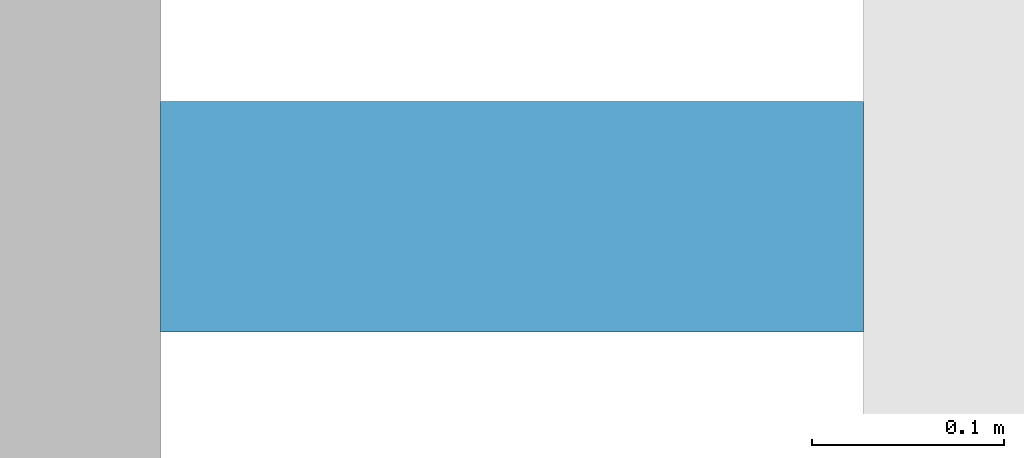
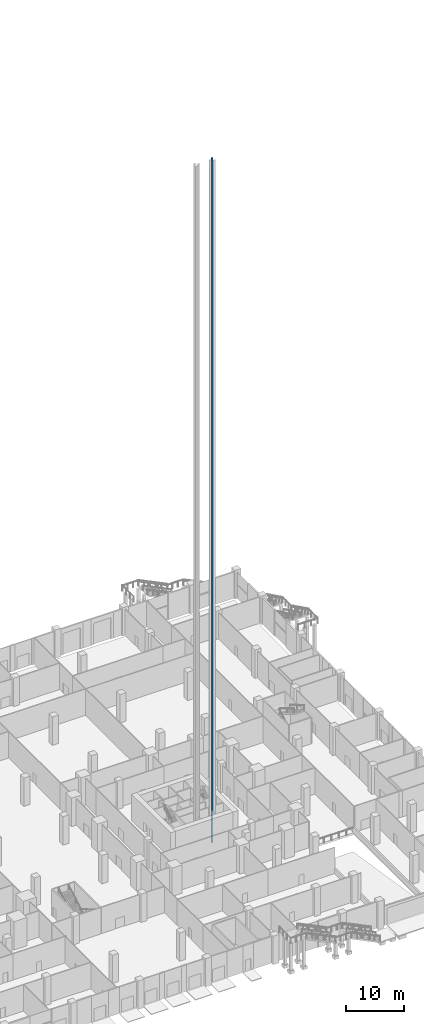
# One storey, part 57 of 68: 1 discrete accessory.
"""IFC4 building model written with IfcOpenShell, lengths in metres."""

import ifcopenshell
import ifcopenshell.guid

model = None  # the IFC model being written
_history = None  # IfcOwnerHistory: only IFC2X3 demands one
_inside = {}  # id of a spatial element -> (the spatial element, [elements in it])
_under = {}  # id of a project, library or spatial element -> (it, [spatial elements below it])
_declared = {}  # id of a project -> (the project, [libraries it declares])
_typed = {}  # id of a type object -> (the type object, [elements of that type])
_made_of = {}  # id of a material, layer set ... -> (it, [elements and type objects made of it])


def new_model(schema):
    """Start an empty IFC model of exactly this schema.

    Asked for "IFC4X3", IfcOpenShell would pick the latest addendum, in which some entities
    have other attributes; the version numbers below select the first issue.
    IFC2X3 requires an IfcOwnerHistory on every rooted entity: one is made here for all.
    """
    global model, _history
    if schema == "IFC4X3":
        model = ifcopenshell.file(schema_version=(4, 3, 0, 0))
    else:
        model = ifcopenshell.file(schema=schema)
    _inside.clear()
    _under.clear()
    _declared.clear()
    _typed.clear()
    _made_of.clear()
    _history = None
    if model.schema == "IFC2X3":
        org = make("IfcOrganization", Name="unknown")
        user = make(
            "IfcPersonAndOrganization",
            ThePerson=make("IfcPerson", FamilyName="unknown"),
            TheOrganization=org,
        )
        app = make(
            "IfcApplication",
            ApplicationDeveloper=org,
            Version="unknown",
            ApplicationFullName="unknown",
            ApplicationIdentifier="unknown",
        )
        _history = make(
            "IfcOwnerHistory",
            OwningUser=user,
            OwningApplication=app,
            ChangeAction="ADDED",
            CreationDate=0,
        )
    return model


def make(cls, **values):
    """One entity of the class cls with the attributes given. An attribute that is None is left unset."""
    return model.create_entity(
        cls, **{name: value for name, value in values.items() if value is not None}
    )


def rooted(cls, **values):
    """An entity with a GlobalId (a new one), such as an element, a storey or a relation."""
    return make(cls, GlobalId=ifcopenshell.guid.new(), OwnerHistory=_history, **values)


def si_unit(unit_type, name, prefix=None):
    """IfcSIUnit, for example si_unit("LENGTHUNIT", "METRE", prefix="MILLI")."""
    return make("IfcSIUnit", UnitType=unit_type, Prefix=prefix, Name=name)


def assignment(units):
    """IfcUnitAssignment: the units of a project."""
    return None if units is None else make("IfcUnitAssignment", Units=units)


def point(xyz):
    """IfcCartesianPoint."""
    return None if xyz is None else make("IfcCartesianPoint", Coordinates=xyz)


def direction(xyz):
    """IfcDirection."""
    return None if xyz is None else make("IfcDirection", DirectionRatios=xyz)


def frame(location, z_axis=None, x_axis=None):
    """IfcAxis2Placement3D, a coordinate frame: its origin and axes. An axis left out is left unset."""
    return make(
        "IfcAxis2Placement3D",
        Location=point(location),
        Axis=direction(z_axis),
        RefDirection=direction(x_axis),
    )


def frame_2d(location, x_axis=None):
    """IfcAxis2Placement2D, a coordinate frame in the plane: its origin and x axis."""
    return make(
        "IfcAxis2Placement2D", Location=point(location), RefDirection=direction(x_axis)
    )


def origin():
    """The frame at (0, 0, 0) with its axes left unset."""
    return frame((0.0, 0.0, 0.0))


def origin_2d():
    """The frame at (0, 0) in the plane with its x axis left unset."""
    return frame_2d((0.0, 0.0))


def place(relative_to, where):
    """IfcLocalPlacement: puts the frame where relative to a parent placement (None: the world)."""
    return make(
        "IfcLocalPlacement", PlacementRelTo=relative_to, RelativePlacement=where
    )


def context(
    kind, dimensions, precision=None, world=None, true_north=None, identifier=None
):
    """IfcGeometricRepresentationContext, for example the 3D "Model" context."""
    return make(
        "IfcGeometricRepresentationContext",
        ContextIdentifier=identifier,
        ContextType=kind,
        CoordinateSpaceDimension=dimensions,
        Precision=precision,
        WorldCoordinateSystem=world,
        TrueNorth=true_north,
    )


def subcontext(parent, identifier, kind, view, scale=None):
    """IfcGeometricRepresentationSubContext, for example "Body" below "Model"."""
    return make(
        "IfcGeometricRepresentationSubContext",
        ContextIdentifier=identifier,
        ContextType=kind,
        ParentContext=parent,
        TargetScale=scale,
        TargetView=view,
    )


def project(units=None, contexts=None):
    """IfcProject with its units and contexts."""
    return rooted(
        "IfcProject",
        Name="project",
        RepresentationContexts=contexts,
        UnitsInContext=assignment(units),
    )


def spatial(cls, under=None, at=None, **own):
    """A site, building, storey or space (cls), placed at a placement, below another one or the project."""
    s = rooted(cls, ObjectPlacement=at, **own)
    if under is not None:
        _under.setdefault(under.id(), (under, []))[1].append(s)
    return s


def profile(cls, at=None, kind="AREA", **sizes):
    """A parametric profile (cls). Its sizes go by their IFC names, for example OverallWidth=200.0."""
    return make(cls, ProfileType=kind, Position=at, **sizes)


def rectangle(**sizes):
    """IfcRectangleProfileDef."""
    return profile("IfcRectangleProfileDef", **sizes)


def extrude(swept, where, along, depth):
    """IfcExtrudedAreaSolid: the profile swept, set in the frame where, extruded along a direction by depth."""
    return make(
        "IfcExtrudedAreaSolid",
        SweptArea=swept,
        Position=where,
        ExtrudedDirection=direction(along),
        Depth=depth,
    )


def shape(context_of_items, identifier, shape_type, items):
    """IfcShapeRepresentation: the items that make up one representation, for example the "Body"."""
    return make(
        "IfcShapeRepresentation",
        ContextOfItems=context_of_items,
        RepresentationIdentifier=identifier,
        RepresentationType=shape_type,
        Items=items,
    )


def made_of(thing, what):
    """Note that an element or type object is made of a material, layer set ...; save() writes the relation."""
    if what is not None:
        _made_of.setdefault(what.id(), (what, []))[1].append(thing)
    return thing


def element(
    cls,
    number,
    at=None,
    inside=None,
    cuts=None,
    type_object=None,
    material=None,
    context=None,
    identifier="Body",
    shape_type=None,
    held_by="IfcProductDefinitionShape",
    body=None,
    shapes=None,
    **own,
):
    """One element of the class cls, such as IfcWall. Its Tag is "e" and its number.

    at: its placement. inside: the storey or other place that contains it. cuts: it is an
    opening in that element (IfcRelVoidsElement). A single representation is given by context,
    identifier, shape_type and body (its items); several are given by shapes. held_by: the class
    of the entity that holds the representations. save() writes the other relations.
    """
    e = rooted(cls, Tag="e%d" % number, ObjectPlacement=at, **own)
    if body is not None:
        shapes = [shape(context, identifier, shape_type, body)]
    if shapes is not None:
        e.Representation = make(held_by, Representations=shapes)
    if inside is not None:
        _inside.setdefault(inside.id(), (inside, []))[1].append(e)
    if cuts is not None:
        rooted(
            "IfcRelVoidsElement", RelatingBuildingElement=cuts, RelatedOpeningElement=e
        )
    if type_object is not None:
        _typed.setdefault(type_object.id(), (type_object, []))[1].append(e)
    return made_of(e, material)


def aggregate(whole, parts):
    """IfcRelAggregates: a whole, such as a stair, and the parts it consists of."""
    return rooted("IfcRelAggregates", RelatingObject=whole, RelatedObjects=parts)


def save(model, path):
    """Write the relations noted so far, then the file.

    IfcRelAggregates (storeys below a building ...), IfcRelContainedInSpatialStructure (elements
    in a storey), IfcRelDefinesByType, IfcRelAssociatesMaterial and IfcRelDeclares: one each for
    every whole, place, type object, material and project.
    """
    for whole, parts in _under.values():
        aggregate(whole, parts)
    for where, things in _inside.values():
        rooted(
            "IfcRelContainedInSpatialStructure",
            RelatedElements=things,
            RelatingStructure=where,
        )
    for kind, things in _typed.values():
        rooted("IfcRelDefinesByType", RelatedObjects=things, RelatingType=kind)
    for what, things in _made_of.values():
        rooted("IfcRelAssociatesMaterial", RelatedObjects=things, RelatingMaterial=what)
    for by, libraries in _declared.values():
        rooted("IfcRelDeclares", RelatingContext=by, RelatedDefinitions=libraries)
    model.write(path)


model = new_model("IFC4")

# Units and contexts
model_context = context("Model", 3, precision=1e-05, world=origin(), true_north=direction((0.0, 1.0)))
body_context = subcontext(model_context, "Body", "Model", "MODEL_VIEW")
ifc_project = project(units=[si_unit("LENGTHUNIT", "METRE"), si_unit("AREAUNIT", "SQUARE_METRE"), si_unit("VOLUMEUNIT", "CUBIC_METRE"), si_unit("PLANEANGLEUNIT", "RADIAN"), si_unit("MASSUNIT", "GRAM", prefix="KILO")], contexts=[model_context])

# Site, building, storey
site_placement = place(None, origin())
site = spatial("IfcSite", under=ifc_project, at=site_placement, CompositionType="ELEMENT")
building_placement = place(site_placement, origin())
building = spatial("IfcBuilding", under=site, at=building_placement, Name="Altepetl Exchange Towers", CompositionType="ELEMENT")
storey_placement = place(building_placement, origin())
storey = spatial("IfcBuildingStorey", under=building, at=storey_placement, Name="L00 Ground concourse", CompositionType="ELEMENT", Elevation=0.0)

# Discrete accessory
discrete_accessory_placement = place(storey_placement, frame((113.35009765625, 38.699951171875, -1.60009765625)))
element("IfcDiscreteAccessory", 1, at=discrete_accessory_placement, inside=storey, Name="Guide rail P3", ObjectType="GUIDE RAIL", PredefinedType="USERDEFINED", context=body_context, shape_type="SweptSolid", body=[
    extrude(rectangle(XDim=0.36669921875, YDim=0.1201171875, at=origin_2d()), origin(), (0.0, 0.0, 1.0), 144.85009765625),
])

save(model, "model.ifc")
